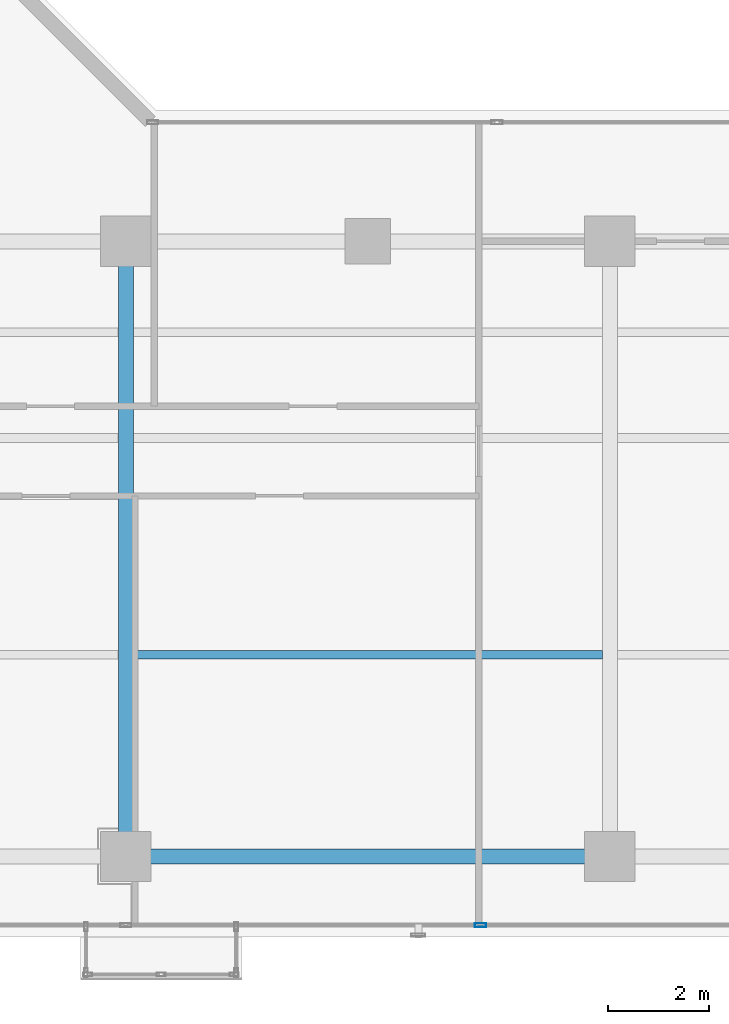
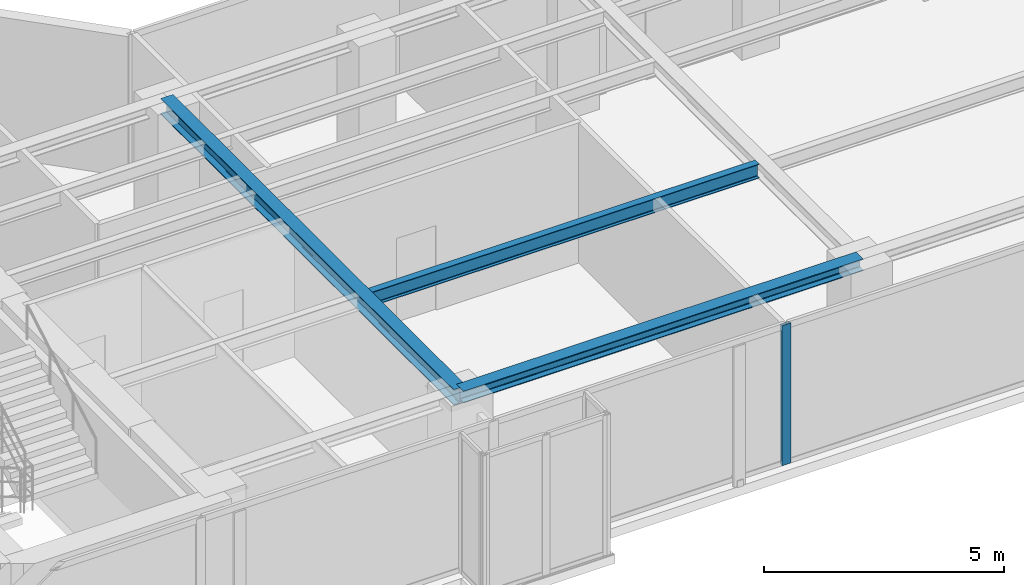
# One storey, part 5 of 23: 3 beams, 1 member, 1 element without a shape of its own.
"""IFC4 building model written with IfcOpenShell, lengths in metres."""

from ifc_helpers import new_model, si_unit, direction, frame, origin, origin_with_axes, origin_2d, place, context, subcontext, project, spatial, hollow_rectangle, i_section, extrude, source, transform, mapped, material, layer, layer_set, material_profile, profile_set, type_object, element, aggregate, save


model = new_model("IFC4")

# Units and contexts
model_context = context("Model", 3, precision=1e-05, world=origin(), true_north=direction((0.0, 1.0)))
body_context = subcontext(model_context, "Body", "Model", "MODEL_VIEW")
ifc_project = project(units=[si_unit("LENGTHUNIT", "METRE"), si_unit("AREAUNIT", "SQUARE_METRE"), si_unit("VOLUMEUNIT", "CUBIC_METRE"), si_unit("PLANEANGLEUNIT", "RADIAN"), si_unit("MASSUNIT", "GRAM", prefix="KILO")], contexts=[model_context])

# Site, building, storey
site_placement = place(None, origin())
site = spatial("IfcSite", under=ifc_project, at=site_placement, CompositionType="ELEMENT")
building_placement = place(site_placement, origin())
building = spatial("IfcBuilding", under=site, at=building_placement, Name="Kolvaren Waterfront Exchange", CompositionType="ELEMENT")
storey_placement = place(building_placement, frame((0.0, 0.0, 231.10009765625)))
storey = spatial("IfcBuildingStorey", under=building, at=storey_placement, Name="L59", CompositionType="ELEMENT", Elevation=231.10009765625)

# Beams
ifc_material_1 = material(Name="Steel S355", Category="steel")
ifc_material_profile_1 = material_profile(ifc_material_1, i_section(OverallWidth=0.300048828125, OverallDepth=0.300048828125, WebThickness=0.010986328125, FlangeThickness=0.01904296875, FilletRadius=0.027099609375, at=origin_2d()), Name="HEB300")
ifc_profile_set_1 = profile_set([ifc_material_profile_1], Name="Steel S355")
beam_type_1 = type_object("IfcBeamType", Name="STR-BM-HEB300", PredefinedType="SPANDREL", material=ifc_profile_set_1)
beam_1_placement = place(storey_placement, frame((27.199951171875, 5.199951171875, 3.409912109375), z_axis=(1.0, 0.0, 0.0), x_axis=(0.0, 1.0, 0.0)))
element("IfcBeam", 1, at=beam_1_placement, inside=storey, type_object=beam_type_1, Name="L59 east-arm spandrel S2", PredefinedType="SPANDREL", context=body_context, shape_type="SweptSolid", body=[
    extrude(i_section(OverallWidth=0.300048828125, OverallDepth=0.300048828125, WebThickness=0.010986328125, FlangeThickness=0.01904296875, FilletRadius=0.027099609375, at=origin_2d()), origin(), (0.0, 0.0, 1.0), 9.60009765625),
])
ifc_material_profile_2 = material_profile(ifc_material_1, i_section(OverallWidth=0.300048828125, OverallDepth=0.39990234375, WebThickness=0.013427734375, FlangeThickness=0.02392578125, FilletRadius=0.027099609375, at=origin_2d()), Name="HEB400")
ifc_profile_set_2 = profile_set([ifc_material_profile_2], Name="Steel S355")
beam_type_2 = type_object("IfcBeamType", Name="STR-BM-HEB400", PredefinedType="BEAM", material=ifc_profile_set_2)
beam_2_placement = place(storey_placement, frame((27.199951171875, 5.199951171875, 3.35986328125), z_axis=(0.0, 1.0, 0.0), x_axis=(-1.0, 0.0, 0.0)))
element("IfcBeam", 2, at=beam_2_placement, inside=storey, type_object=beam_type_2, Name="L59 east-arm transverse girder X27", PredefinedType="BEAM", context=body_context, shape_type="SweptSolid", body=[
    extrude(i_section(OverallWidth=0.300048828125, OverallDepth=0.39990234375, WebThickness=0.013427734375, FlangeThickness=0.02392578125, FilletRadius=0.027099609375, at=origin_2d()), origin(), (0.0, 0.0, 1.0), 12.199951171875),
])
ifc_material_profile_3 = material_profile(ifc_material_1, i_section(OverallWidth=0.169921875, OverallDepth=0.360107421875, WebThickness=0.008056640625, FlangeThickness=0.0126953125, FilletRadius=0.01806640625, at=origin_2d()), Name="IPE360")
ifc_profile_set_3 = profile_set([ifc_material_profile_3], Name="Steel S355")
beam_type_3 = type_object("IfcBeamType", Name="STR-BM-IPE360", PredefinedType="JOIST", material=ifc_profile_set_3)
beam_3_placement = place(storey_placement, frame((27.35205078125, 9.199951171875, 3.3798828125), z_axis=(1.0, 0.0, 0.0), x_axis=(0.0, 1.0, 0.0)))
element("IfcBeam", 3, at=beam_3_placement, inside=storey, type_object=beam_type_3, Name="L59 east-arm composite joist 2B", PredefinedType="JOIST", context=body_context, shape_type="SweptSolid", body=[
    extrude(i_section(OverallWidth=0.169921875, OverallDepth=0.360107421875, WebThickness=0.008056640625, FlangeThickness=0.0126953125, FilletRadius=0.01806640625, at=origin_2d()), origin(), (0.0, 0.0, 1.0), 9.2958984375),
])

# Curtain wall, member
ifc_material_2 = material(Name="Anodised bronze aluminium 6063-T6", Category="aluminium")
ifc_layer = layer(ifc_material_2, 0.219970703125, Name="Anodised bronze aluminium 6063-T6")
ifc_layer_set = layer_set([ifc_layer], Name="Anodised bronze aluminium 6063-T6")
curtain_wall_type = type_object("IfcCurtainWallType", Name="ARC-CW-SYS1", PredefinedType="USERDEFINED", material=ifc_layer_set)
curtain_wall_placement = place(storey_placement, origin())
curtain_wall = element("IfcCurtainWall", 4, at=curtain_wall_placement, inside=storey, type_object=curtain_wall_type, Name="L59 stick curtain wall CW1 (CW-L59-S)", ObjectType="STICK CURTAIN WALL", PredefinedType="USERDEFINED")
ifc_material_3 = material(Name="Anodised aluminium 6063-T6", Category="aluminium")
ifc_material_profile_4 = material_profile(ifc_material_3, hollow_rectangle(XDim=0.080078125, YDim=0.219970703125, WallThickness=0.0048828125, at=origin_2d()), Name="ALU-MUL-220x80x5")
ifc_profile_set_4 = profile_set([ifc_material_profile_4], Name="Anodised aluminium 6063-T6")
member_type = type_object("IfcMemberType", Name="ARC-CWM-220", PredefinedType="MULLION", material=ifc_profile_set_4)
shared_shape = source(origin_with_axes(), body_context, "Body", "SweptSolid", [
    extrude(hollow_rectangle(XDim=0.080078125, YDim=0.219970703125, WallThickness=0.0048828125, at=origin_2d()), origin(), (0.0, 0.0, 1.0), 3.559814453125),
])
member_placement = place(storey_placement, frame((34.2333984375, 3.840087890625, 0.0), z_axis=(0.0, 0.0, 1.0), x_axis=(0.0, 1.0, 0.0)))
member = element("IfcMember", 5, at=member_placement, type_object=member_type, Name="CW1 mullion 5", PredefinedType="MULLION", context=body_context, shape_type="MappedRepresentation", body=[
    mapped(shared_shape, transform((0.0, 0.0, 0.0), x_axis=(1.0, 0.0, 0.0), y_axis=(0.0, 1.0, 0.0), z_axis=(0.0, 0.0, 1.0), scale=1.0)),
])
aggregate(curtain_wall, [member])

save(model, "model.ifc")
